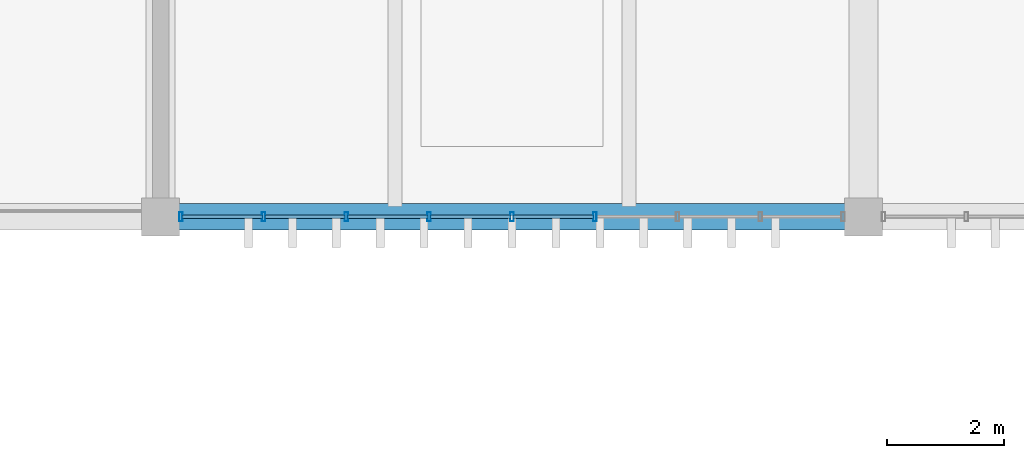
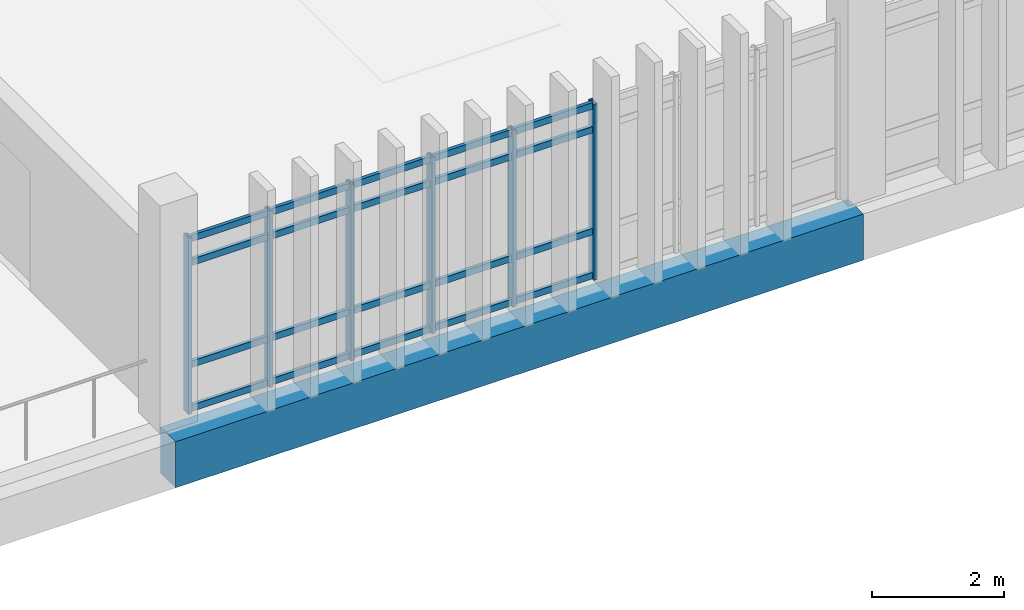
# One storey, part 11 of 82: 26 members, 1 beam, 1 element without a shape of its own.
"""IFC4 building model written with IfcOpenShell, lengths in metres."""

from ifc_helpers import new_model, si_unit, direction, frame, origin, origin_2d, place, context, subcontext, project, spatial, rectangle, hollow_rectangle, extrude, material, layer, layer_set, material_profile, profile_set, type_object, element, aggregate, save


model = new_model("IFC4")

# Units and contexts
model_context = context("Model", 3, precision=1e-05, world=origin(), true_north=direction((0.0, 1.0)))
body_context = subcontext(model_context, "Body", "Model", "MODEL_VIEW")
ifc_project = project(units=[si_unit("LENGTHUNIT", "METRE"), si_unit("AREAUNIT", "SQUARE_METRE"), si_unit("VOLUMEUNIT", "CUBIC_METRE"), si_unit("PLANEANGLEUNIT", "RADIAN"), si_unit("MASSUNIT", "GRAM", prefix="KILO")], contexts=[model_context])

# Site, building, storey
site_placement = place(None, origin())
site = spatial("IfcSite", under=ifc_project, at=site_placement, CompositionType="ELEMENT")
building_placement = place(site_placement, origin())
building = spatial("IfcBuilding", under=site, at=building_placement, Name="Mersad Railyard Sports Hall", CompositionType="ELEMENT")
storey_placement = place(building_placement, frame((0.0, 0.0, 13.199951171875)))
storey = spatial("IfcBuildingStorey", under=building, at=storey_placement, Name="L03", CompositionType="ELEMENT", Elevation=13.199951171875)

# Curtain wall, members
ifc_material_1 = material(Name="Aluminium 6063-T6", Category="aluminium")
ifc_layer = layer(ifc_material_1, 0.159912109375)
ifc_layer_set = layer_set([ifc_layer], Name="Aluminium 6063-T6")
curtain_wall_type = type_object("IfcCurtainWallType", Name="ARC-CW-CW59", PredefinedType="USERDEFINED", material=ifc_layer_set)
curtain_wall_placement = place(storey_placement, origin())
curtain_wall = element("IfcCurtainWall", 1, at=curtain_wall_placement, inside=storey, type_object=curtain_wall_type, Name="Curtain wall CW59-0155", ObjectType="CURTAIN WALL", PredefinedType="USERDEFINED")
ifc_material_profile_1 = material_profile(ifc_material_1, hollow_rectangle(XDim=0.06005859375, YDim=0.159912109375, WallThickness=0.00390625, at=origin_2d()), Name="AL MULLION 60x160x4")
ifc_profile_set_1 = profile_set([ifc_material_profile_1], Name="Aluminium 6063-T6")
member_type_1 = type_object("IfcMemberType", Name="ARC-CW-MUL01", PredefinedType="MULLION", material=ifc_profile_set_1)
member_1_placement = place(storey_placement, frame((62.413818359375, 85.0, -0.02001953125), z_axis=(0.0, 0.0, 1.0), x_axis=(1.0, 0.0, 0.0)))
member_1 = element("IfcMember", 2, at=member_1_placement, type_object=member_type_1, Name="CW59 Mullion 4", PredefinedType="MULLION", context=body_context, shape_type="SweptSolid", body=[
    extrude(hollow_rectangle(XDim=0.06005859375, YDim=0.159912109375, WallThickness=0.00390625, at=origin_2d()), origin(), (0.0, 0.0, 1.0), 3.25),
])
member_2_placement = place(storey_placement, frame((61.0, 85.0, -0.02001953125), z_axis=(0.0, 0.0, 1.0), x_axis=(1.0, 0.0, 0.0)))
member_2 = element("IfcMember", 3, at=member_2_placement, type_object=member_type_1, Name="CW59 Mullion 5", PredefinedType="MULLION", context=body_context, shape_type="SweptSolid", body=[
    extrude(hollow_rectangle(XDim=0.06005859375, YDim=0.159912109375, WallThickness=0.00390625, at=origin_2d()), origin(), (0.0, 0.0, 1.0), 3.25),
])
member_3_placement = place(storey_placement, frame((59.586181640625, 85.0, -0.02001953125), z_axis=(0.0, 0.0, 1.0), x_axis=(1.0, 0.0, 0.0)))
member_3 = element("IfcMember", 4, at=member_3_placement, type_object=member_type_1, Name="CW59 Mullion 6", PredefinedType="MULLION", context=body_context, shape_type="SweptSolid", body=[
    extrude(hollow_rectangle(XDim=0.06005859375, YDim=0.159912109375, WallThickness=0.00390625, at=origin_2d()), origin(), (0.0, 0.0, 1.0), 3.25),
])
member_4_placement = place(storey_placement, frame((58.172607421875, 85.0, -0.02001953125), z_axis=(0.0, 0.0, 1.0), x_axis=(1.0, 0.0, 0.0)))
member_4 = element("IfcMember", 5, at=member_4_placement, type_object=member_type_1, Name="CW59 Mullion 7", PredefinedType="MULLION", context=body_context, shape_type="SweptSolid", body=[
    extrude(hollow_rectangle(XDim=0.06005859375, YDim=0.159912109375, WallThickness=0.00390625, at=origin_2d()), origin(), (0.0, 0.0, 1.0), 3.25),
])
member_5_placement = place(storey_placement, frame((56.7587890625, 85.0, -0.02001953125), z_axis=(0.0, 0.0, 1.0), x_axis=(1.0, 0.0, 0.0)))
member_5 = element("IfcMember", 6, at=member_5_placement, type_object=member_type_1, Name="CW59 Mullion 8", PredefinedType="MULLION", context=body_context, shape_type="SweptSolid", body=[
    extrude(hollow_rectangle(XDim=0.06005859375, YDim=0.159912109375, WallThickness=0.00390625, at=origin_2d()), origin(), (0.0, 0.0, 1.0), 3.25),
])
member_6_placement = place(storey_placement, frame((55.344970703125, 85.0, -0.02001953125), z_axis=(0.0, 0.0, 1.0), x_axis=(1.0, 0.0, 0.0)))
member_6 = element("IfcMember", 7, at=member_6_placement, type_object=member_type_1, Name="CW59 Mullion 9", PredefinedType="MULLION", context=body_context, shape_type="SweptSolid", body=[
    extrude(hollow_rectangle(XDim=0.06005859375, YDim=0.159912109375, WallThickness=0.00390625, at=origin_2d()), origin(), (0.0, 0.0, 1.0), 3.25),
])
ifc_material_profile_2 = material_profile(ifc_material_1, hollow_rectangle(XDim=0.06005859375, YDim=0.1201171875, WallThickness=0.00390625, at=origin_2d()), Name="AL TRANSOM 60x120x4")
ifc_profile_set_2 = profile_set([ifc_material_profile_2], Name="Aluminium 6063-T6")
member_type_2 = type_object("IfcMemberType", Name="ARC-CW-TRN01", PredefinedType="USERDEFINED", material=ifc_profile_set_2)
member_7_placement = place(storey_placement, frame((62.393798828125, 85.0, 0.0400390625), z_axis=(-1.0, 0.0, 0.0), x_axis=(0.0, -1.0, 0.0)))
member_7 = element("IfcMember", 8, at=member_7_placement, type_object=member_type_2, Name="CW59 Transom 1-4", ObjectType="TRANSOM", PredefinedType="USERDEFINED", context=body_context, shape_type="SweptSolid", body=[
    extrude(hollow_rectangle(XDim=0.06005859375, YDim=0.1201171875, WallThickness=0.00390625, at=origin_2d()), origin(), (0.0, 0.0, 1.0), 1.373779296875),
])
member_8_placement = place(storey_placement, frame((60.97998046875, 85.0, 0.0400390625), z_axis=(-1.0, 0.0, 0.0), x_axis=(0.0, -1.0, 0.0)))
member_8 = element("IfcMember", 9, at=member_8_placement, type_object=member_type_2, Name="CW59 Transom 1-5", ObjectType="TRANSOM", PredefinedType="USERDEFINED", context=body_context, shape_type="SweptSolid", body=[
    extrude(hollow_rectangle(XDim=0.06005859375, YDim=0.1201171875, WallThickness=0.00390625, at=origin_2d()), origin(), (0.0, 0.0, 1.0), 1.373779296875),
])
member_9_placement = place(storey_placement, frame((59.566162109375, 85.0, 0.0400390625), z_axis=(-1.0, 0.0, 0.0), x_axis=(0.0, -1.0, 0.0)))
member_9 = element("IfcMember", 10, at=member_9_placement, type_object=member_type_2, Name="CW59 Transom 1-6", ObjectType="TRANSOM", PredefinedType="USERDEFINED", context=body_context, shape_type="SweptSolid", body=[
    extrude(hollow_rectangle(XDim=0.06005859375, YDim=0.1201171875, WallThickness=0.00390625, at=origin_2d()), origin(), (0.0, 0.0, 1.0), 1.373779296875),
])
member_10_placement = place(storey_placement, frame((58.152587890625, 85.0, 0.0400390625), z_axis=(-1.0, 0.0, 0.0), x_axis=(0.0, -1.0, 0.0)))
member_10 = element("IfcMember", 11, at=member_10_placement, type_object=member_type_2, Name="CW59 Transom 1-7", ObjectType="TRANSOM", PredefinedType="USERDEFINED", context=body_context, shape_type="SweptSolid", body=[
    extrude(hollow_rectangle(XDim=0.06005859375, YDim=0.1201171875, WallThickness=0.00390625, at=origin_2d()), origin(), (0.0, 0.0, 1.0), 1.373779296875),
])
member_11_placement = place(storey_placement, frame((56.73876953125, 85.0, 0.0400390625), z_axis=(-1.0, 0.0, 0.0), x_axis=(0.0, -1.0, 0.0)))
member_11 = element("IfcMember", 12, at=member_11_placement, type_object=member_type_2, Name="CW59 Transom 1-8", ObjectType="TRANSOM", PredefinedType="USERDEFINED", context=body_context, shape_type="SweptSolid", body=[
    extrude(hollow_rectangle(XDim=0.06005859375, YDim=0.1201171875, WallThickness=0.00390625, at=origin_2d()), origin(), (0.0, 0.0, 1.0), 1.373779296875),
])
member_12_placement = place(storey_placement, frame((62.393798828125, 85.0, 0.85009765625), z_axis=(-1.0, 0.0, 0.0), x_axis=(0.0, -1.0, 0.0)))
member_12 = element("IfcMember", 13, at=member_12_placement, type_object=member_type_2, Name="CW59 Transom 2-4", ObjectType="TRANSOM", PredefinedType="USERDEFINED", context=body_context, shape_type="SweptSolid", body=[
    extrude(hollow_rectangle(XDim=0.06005859375, YDim=0.1201171875, WallThickness=0.00390625, at=origin_2d()), origin(), (0.0, 0.0, 1.0), 1.373779296875),
])
member_13_placement = place(storey_placement, frame((60.97998046875, 85.0, 0.85009765625), z_axis=(-1.0, 0.0, 0.0), x_axis=(0.0, -1.0, 0.0)))
member_13 = element("IfcMember", 14, at=member_13_placement, type_object=member_type_2, Name="CW59 Transom 2-5", ObjectType="TRANSOM", PredefinedType="USERDEFINED", context=body_context, shape_type="SweptSolid", body=[
    extrude(hollow_rectangle(XDim=0.06005859375, YDim=0.1201171875, WallThickness=0.00390625, at=origin_2d()), origin(), (0.0, 0.0, 1.0), 1.373779296875),
])
member_14_placement = place(storey_placement, frame((59.566162109375, 85.0, 0.85009765625), z_axis=(-1.0, 0.0, 0.0), x_axis=(0.0, -1.0, 0.0)))
member_14 = element("IfcMember", 15, at=member_14_placement, type_object=member_type_2, Name="CW59 Transom 2-6", ObjectType="TRANSOM", PredefinedType="USERDEFINED", context=body_context, shape_type="SweptSolid", body=[
    extrude(hollow_rectangle(XDim=0.06005859375, YDim=0.1201171875, WallThickness=0.00390625, at=origin_2d()), origin(), (0.0, 0.0, 1.0), 1.373779296875),
])
member_15_placement = place(storey_placement, frame((58.152587890625, 85.0, 0.85009765625), z_axis=(-1.0, 0.0, 0.0), x_axis=(0.0, -1.0, 0.0)))
member_15 = element("IfcMember", 16, at=member_15_placement, type_object=member_type_2, Name="CW59 Transom 2-7", ObjectType="TRANSOM", PredefinedType="USERDEFINED", context=body_context, shape_type="SweptSolid", body=[
    extrude(hollow_rectangle(XDim=0.06005859375, YDim=0.1201171875, WallThickness=0.00390625, at=origin_2d()), origin(), (0.0, 0.0, 1.0), 1.373779296875),
])
member_16_placement = place(storey_placement, frame((56.73876953125, 85.0, 0.85009765625), z_axis=(-1.0, 0.0, 0.0), x_axis=(0.0, -1.0, 0.0)))
member_16 = element("IfcMember", 17, at=member_16_placement, type_object=member_type_2, Name="CW59 Transom 2-8", ObjectType="TRANSOM", PredefinedType="USERDEFINED", context=body_context, shape_type="SweptSolid", body=[
    extrude(hollow_rectangle(XDim=0.06005859375, YDim=0.1201171875, WallThickness=0.00390625, at=origin_2d()), origin(), (0.0, 0.0, 1.0), 1.373779296875),
])
member_17_placement = place(storey_placement, frame((62.393798828125, 85.0, 2.72998046875), z_axis=(-1.0, 0.0, 0.0), x_axis=(0.0, -1.0, 0.0)))
member_17 = element("IfcMember", 18, at=member_17_placement, type_object=member_type_2, Name="CW59 Transom 3-4", ObjectType="TRANSOM", PredefinedType="USERDEFINED", context=body_context, shape_type="SweptSolid", body=[
    extrude(hollow_rectangle(XDim=0.06005859375, YDim=0.1201171875, WallThickness=0.00390625, at=origin_2d()), origin(), (0.0, 0.0, 1.0), 1.373779296875),
])
member_18_placement = place(storey_placement, frame((60.97998046875, 85.0, 2.72998046875), z_axis=(-1.0, 0.0, 0.0), x_axis=(0.0, -1.0, 0.0)))
member_18 = element("IfcMember", 19, at=member_18_placement, type_object=member_type_2, Name="CW59 Transom 3-5", ObjectType="TRANSOM", PredefinedType="USERDEFINED", context=body_context, shape_type="SweptSolid", body=[
    extrude(hollow_rectangle(XDim=0.06005859375, YDim=0.1201171875, WallThickness=0.00390625, at=origin_2d()), origin(), (0.0, 0.0, 1.0), 1.373779296875),
])
member_19_placement = place(storey_placement, frame((59.566162109375, 85.0, 2.72998046875), z_axis=(-1.0, 0.0, 0.0), x_axis=(0.0, -1.0, 0.0)))
member_19 = element("IfcMember", 20, at=member_19_placement, type_object=member_type_2, Name="CW59 Transom 3-6", ObjectType="TRANSOM", PredefinedType="USERDEFINED", context=body_context, shape_type="SweptSolid", body=[
    extrude(hollow_rectangle(XDim=0.06005859375, YDim=0.1201171875, WallThickness=0.00390625, at=origin_2d()), origin(), (0.0, 0.0, 1.0), 1.373779296875),
])
member_20_placement = place(storey_placement, frame((58.152587890625, 85.0, 2.72998046875), z_axis=(-1.0, 0.0, 0.0), x_axis=(0.0, -1.0, 0.0)))
member_20 = element("IfcMember", 21, at=member_20_placement, type_object=member_type_2, Name="CW59 Transom 3-7", ObjectType="TRANSOM", PredefinedType="USERDEFINED", context=body_context, shape_type="SweptSolid", body=[
    extrude(hollow_rectangle(XDim=0.06005859375, YDim=0.1201171875, WallThickness=0.00390625, at=origin_2d()), origin(), (0.0, 0.0, 1.0), 1.373779296875),
])
member_21_placement = place(storey_placement, frame((56.73876953125, 85.0, 2.72998046875), z_axis=(-1.0, 0.0, 0.0), x_axis=(0.0, -1.0, 0.0)))
member_21 = element("IfcMember", 22, at=member_21_placement, type_object=member_type_2, Name="CW59 Transom 3-8", ObjectType="TRANSOM", PredefinedType="USERDEFINED", context=body_context, shape_type="SweptSolid", body=[
    extrude(hollow_rectangle(XDim=0.06005859375, YDim=0.1201171875, WallThickness=0.00390625, at=origin_2d()), origin(), (0.0, 0.0, 1.0), 1.373779296875),
])
member_22_placement = place(storey_placement, frame((62.393798828125, 85.0, 3.170166015625), z_axis=(-1.0, 0.0, 0.0), x_axis=(0.0, -1.0, 0.0)))
member_22 = element("IfcMember", 23, at=member_22_placement, type_object=member_type_2, Name="CW59 Transom 4-4", ObjectType="TRANSOM", PredefinedType="USERDEFINED", context=body_context, shape_type="SweptSolid", body=[
    extrude(hollow_rectangle(XDim=0.06005859375, YDim=0.1201171875, WallThickness=0.00390625, at=origin_2d()), origin(), (0.0, 0.0, 1.0), 1.373779296875),
])
member_23_placement = place(storey_placement, frame((60.97998046875, 85.0, 3.170166015625), z_axis=(-1.0, 0.0, 0.0), x_axis=(0.0, -1.0, 0.0)))
member_23 = element("IfcMember", 24, at=member_23_placement, type_object=member_type_2, Name="CW59 Transom 4-5", ObjectType="TRANSOM", PredefinedType="USERDEFINED", context=body_context, shape_type="SweptSolid", body=[
    extrude(hollow_rectangle(XDim=0.06005859375, YDim=0.1201171875, WallThickness=0.00390625, at=origin_2d()), origin(), (0.0, 0.0, 1.0), 1.373779296875),
])
member_24_placement = place(storey_placement, frame((59.566162109375, 85.0, 3.170166015625), z_axis=(-1.0, 0.0, 0.0), x_axis=(0.0, -1.0, 0.0)))
member_24 = element("IfcMember", 25, at=member_24_placement, type_object=member_type_2, Name="CW59 Transom 4-6", ObjectType="TRANSOM", PredefinedType="USERDEFINED", context=body_context, shape_type="SweptSolid", body=[
    extrude(hollow_rectangle(XDim=0.06005859375, YDim=0.1201171875, WallThickness=0.00390625, at=origin_2d()), origin(), (0.0, 0.0, 1.0), 1.373779296875),
])
member_25_placement = place(storey_placement, frame((58.152587890625, 85.0, 3.170166015625), z_axis=(-1.0, 0.0, 0.0), x_axis=(0.0, -1.0, 0.0)))
member_25 = element("IfcMember", 26, at=member_25_placement, type_object=member_type_2, Name="CW59 Transom 4-7", ObjectType="TRANSOM", PredefinedType="USERDEFINED", context=body_context, shape_type="SweptSolid", body=[
    extrude(hollow_rectangle(XDim=0.06005859375, YDim=0.1201171875, WallThickness=0.00390625, at=origin_2d()), origin(), (0.0, 0.0, 1.0), 1.373779296875),
])
member_26_placement = place(storey_placement, frame((56.73876953125, 85.0, 3.170166015625), z_axis=(-1.0, 0.0, 0.0), x_axis=(0.0, -1.0, 0.0)))
member_26 = element("IfcMember", 27, at=member_26_placement, type_object=member_type_2, Name="CW59 Transom 4-8", ObjectType="TRANSOM", PredefinedType="USERDEFINED", context=body_context, shape_type="SweptSolid", body=[
    extrude(hollow_rectangle(XDim=0.06005859375, YDim=0.1201171875, WallThickness=0.00390625, at=origin_2d()), origin(), (0.0, 0.0, 1.0), 1.373779296875),
])
aggregate(curtain_wall, [member_1, member_2, member_3, member_4, member_5, member_6, member_7, member_8, member_9, member_10, member_11, member_12, member_13, member_14, member_15, member_16, member_17, member_18, member_19, member_20, member_21, member_22, member_23, member_24, member_25, member_26])

# Beam
ifc_material_2 = material(Name="Concrete C40/50", Category="concrete")
ifc_material_profile_3 = material_profile(ifc_material_2, rectangle(XDim=0.449951171875, YDim=0.85009765625, at=origin_2d()), Name="RC 450x850")
ifc_profile_set_3 = profile_set([ifc_material_profile_3], Name="Concrete C40/50")
beam_type = type_object("IfcBeamType", Name="STR-BM-B02", PredefinedType="BEAM", material=ifc_profile_set_3)
beam_placement = place(storey_placement, frame((55.0, 85.0, -0.744873046875), z_axis=(1.0, 0.0, 0.0), x_axis=(0.0, 1.0, 0.0)))
element("IfcBeam", 28, at=beam_placement, inside=storey, type_object=beam_type, Name="Beam B02-1213", PredefinedType="BEAM", context=body_context, shape_type="SweptSolid", body=[
    extrude(rectangle(XDim=0.449951171875, YDim=0.85009765625, at=origin_2d()), origin(), (0.0, 0.0, 1.0), 12.0),
])

save(model, "model.ifc")
